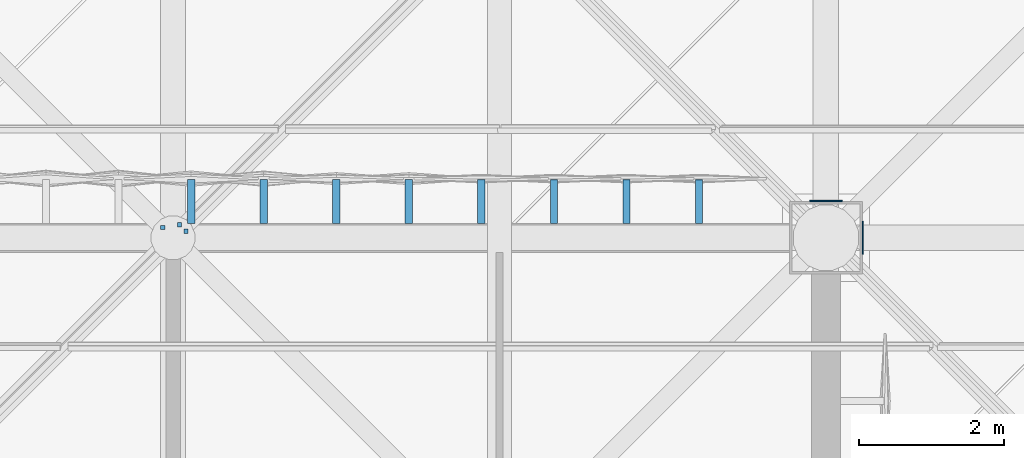
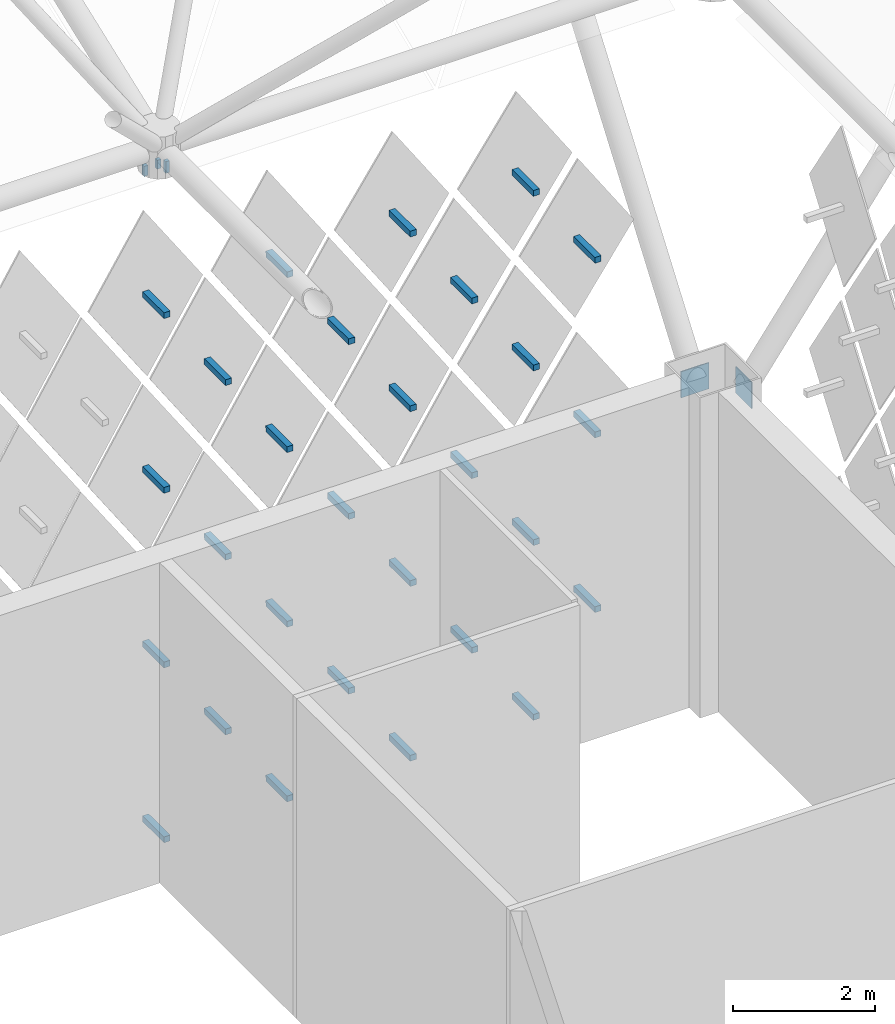
# One storey, part 399 of 437: 33 discrete accessories.
"""IFC4 building model written with IfcOpenShell, lengths in metres."""

from ifc_helpers import new_model, si_unit, direction, frame, origin, place, context, subcontext, project, spatial, polyline, outline, extrude, material, layer, layer_set, type_object, element, save


model = new_model("IFC4")

# Units and contexts
model_context = context("Model", 3, precision=1e-05, world=origin(), true_north=direction((0.0, 1.0)))
body_context = subcontext(model_context, "Body", "Model", "MODEL_VIEW")
ifc_project = project(units=[si_unit("LENGTHUNIT", "METRE"), si_unit("AREAUNIT", "SQUARE_METRE"), si_unit("VOLUMEUNIT", "CUBIC_METRE"), si_unit("PLANEANGLEUNIT", "RADIAN"), si_unit("MASSUNIT", "GRAM", prefix="KILO")], contexts=[model_context])

# Site, building, storey
site_placement = place(None, origin())
site = spatial("IfcSite", under=ifc_project, at=site_placement, CompositionType="ELEMENT")
building_placement = place(site_placement, origin())
building = spatial("IfcBuilding", under=site, at=building_placement, Name="Opaline Strait Convention Centre", CompositionType="ELEMENT")
storey_placement = place(building_placement, frame((0.0, 0.0, 11.5)))
storey = spatial("IfcBuildingStorey", under=building, at=storey_placement, Name="L02", CompositionType="ELEMENT", Elevation=11.5)

# Discrete accessories
ifc_material_1 = material(Name="Structural steel Q355B", Category="steel")
ifc_layer = layer(ifc_material_1, 0.01611328125)
ifc_layer_set = layer_set([ifc_layer], Name="Structural steel Q355B")
discrete_accessory_type_1 = type_object("IfcDiscreteAccessoryType", Name="Prop bearing plate 450 x 450 x 16", PredefinedType="ANCHORPLATE", material=ifc_layer_set)
discrete_accessory_1_placement = place(storey_placement, frame((0.0, 0.0, 4.796875)))
element("IfcDiscreteAccessory", 1, at=discrete_accessory_1_placement, inside=storey, type_object=discrete_accessory_type_1, Name="Prop bearing plate 261/153 N", PredefinedType="ANCHORPLATE", context=body_context, shape_type="SweptSolid", body=[
    extrude(outline(polyline([(260.77490234375, 153.5), (261.22509765625, 153.5), (261.22509765625, 153.51611328125), (260.77490234375, 153.51611328125), (260.77490234375, 153.5)])), origin(), (0.0, 0.0, 1.0), 0.449951171875),
])
discrete_accessory_2_placement = place(storey_placement, frame((0.0, 0.0, 4.796875)))
element("IfcDiscreteAccessory", 2, at=discrete_accessory_2_placement, inside=storey, type_object=discrete_accessory_type_1, Name="Prop bearing plate 261/153 E", PredefinedType="ANCHORPLATE", context=body_context, shape_type="SweptSolid", body=[
    extrude(outline(polyline([(261.5, 152.77490234375), (261.51611328125, 152.77490234375), (261.51611328125, 153.22509765625), (261.5, 153.22509765625), (261.5, 152.77490234375)])), origin(), (0.0, 0.0, 1.0), 0.449951171875),
])
ifc_material_2 = material(Name="Steel Q355B", Category="steel")
discrete_accessory_type_2 = type_object("IfcDiscreteAccessoryType", Name="Soffit hanger 60x60 steel", PredefinedType="BRACKET", material=ifc_material_2)
discrete_accessory_3_placement = place(storey_placement, frame((0.0, 0.0, 11.967529296875)))
element("IfcDiscreteAccessory", 3, at=discrete_accessory_3_placement, inside=storey, type_object=discrete_accessory_type_2, Name="Soffit hanger", PredefinedType="BRACKET", context=body_context, shape_type="SweptSolid", body=[
    extrude(outline(polyline([(251.82861328125, 153.111328125), (251.888671875, 153.111328125), (251.888671875, 153.17138671875), (251.82861328125, 153.17138671875), (251.82861328125, 153.111328125)])), origin(), (0.0, 0.0, 1.0), 0.17236328125),
])
discrete_accessory_4_placement = place(storey_placement, frame((0.0, 0.0, 11.93994140625)))
element("IfcDiscreteAccessory", 4, at=discrete_accessory_4_placement, inside=storey, type_object=discrete_accessory_type_2, Name="Soffit hanger", PredefinedType="BRACKET", context=body_context, shape_type="SweptSolid", body=[
    extrude(outline(polyline([(252.14892578125, 153.059326171875), (252.208984375, 153.059326171875), (252.208984375, 153.119140625), (252.14892578125, 153.119140625), (252.14892578125, 153.059326171875)])), origin(), (0.0, 0.0, 1.0), 0.199951171875),
])
discrete_accessory_5_placement = place(storey_placement, frame((0.0, 0.0, 11.986083984375)))
element("IfcDiscreteAccessory", 5, at=discrete_accessory_5_placement, inside=storey, type_object=discrete_accessory_type_2, Name="Soffit hanger", PredefinedType="BRACKET", context=body_context, shape_type="SweptSolid", body=[
    extrude(outline(polyline([(252.059326171875, 153.14892578125), (252.119140625, 153.14892578125), (252.119140625, 153.208984375), (252.059326171875, 153.208984375), (252.059326171875, 153.14892578125)])), origin(), (0.0, 0.0, 1.0), 0.15380859375),
])
discrete_accessory_type_3 = type_object("IfcDiscreteAccessoryType", Name="Tile bracket 100x100 steel", PredefinedType="BRACKET", material=ifc_material_2)
discrete_accessory_6_placement = place(storey_placement, frame((258.300048828125, 153.199951171875, 0.39208984375), z_axis=(-1.0, 0.0, 0.0), x_axis=(0.0, -1.0, 0.0)))
element("IfcDiscreteAccessory", 6, at=discrete_accessory_6_placement, inside=storey, type_object=discrete_accessory_type_3, Name="Tile bracket XT03 N", PredefinedType="BRACKET", context=body_context, shape_type="SweptSolid", body=[
    extrude(outline(polyline([(0.0, -0.050048828125), (0.0, 0.050048828125), (-0.601318359375, 0.050048828125), (-0.5986328125, -0.050048828125), (0.0, -0.050048828125)])), origin(), (0.0, 0.0, 1.0), 0.10009765625),
])
discrete_accessory_7_placement = place(storey_placement, frame((256.300048828125, 153.199951171875, 0.39208984375), z_axis=(-1.0, 0.0, 0.0), x_axis=(0.0, -1.0, 0.0)))
element("IfcDiscreteAccessory", 7, at=discrete_accessory_7_placement, inside=storey, type_object=discrete_accessory_type_3, Name="Tile bracket XT05 N", PredefinedType="BRACKET", context=body_context, shape_type="SweptSolid", body=[
    extrude(outline(polyline([(0.0, -0.050048828125), (0.0, 0.050048828125), (-0.602294921875, 0.050048828125), (-0.597900390625, -0.050048828125), (0.0, -0.050048828125)])), origin(), (0.0, 0.0, 1.0), 0.10009765625),
])
discrete_accessory_8_placement = place(storey_placement, frame((254.300048828125, 153.199951171875, 0.39208984375), z_axis=(-1.0, 0.0, 0.0), x_axis=(0.0, -1.0, 0.0)))
element("IfcDiscreteAccessory", 8, at=discrete_accessory_8_placement, inside=storey, type_object=discrete_accessory_type_3, Name="Tile bracket XT07 N", PredefinedType="BRACKET", context=body_context, shape_type="SweptSolid", body=[
    extrude(outline(polyline([(0.0, -0.050048828125), (0.0, 0.050048828125), (-0.60302734375, 0.050048828125), (-0.596923828125, -0.050048828125), (0.0, -0.050048828125)])), origin(), (0.0, 0.0, 1.0), 0.10009765625),
])
discrete_accessory_9_placement = place(storey_placement, frame((252.300048828125, 153.199951171875, 0.39208984375), z_axis=(-1.0, 0.0, 0.0), x_axis=(0.0, -1.0, 0.0)))
element("IfcDiscreteAccessory", 9, at=discrete_accessory_9_placement, inside=storey, type_object=discrete_accessory_type_3, Name="Tile bracket XT08 N", PredefinedType="BRACKET", context=body_context, shape_type="SweptSolid", body=[
    extrude(outline(polyline([(0.0, -0.050048828125), (0.0, 0.050048828125), (-0.603515625, 0.050048828125), (-0.596435546875, -0.050048828125), (0.0, -0.050048828125)])), origin(), (0.0, 0.0, 1.0), 0.10009765625),
])
discrete_accessory_10_placement = place(storey_placement, frame((259.300048828125, 153.199951171875, 1.89208984375), z_axis=(-1.0, 0.0, 0.0), x_axis=(0.0, -1.0, 0.0)))
element("IfcDiscreteAccessory", 10, at=discrete_accessory_10_placement, inside=storey, type_object=discrete_accessory_type_3, Name="Tile bracket XT02 N", PredefinedType="BRACKET", context=body_context, shape_type="SweptSolid", body=[
    extrude(outline(polyline([(0.0, -0.050048828125), (0.0, 0.050048828125), (-0.600830078125, 0.050048828125), (-0.59912109375, -0.050048828125), (0.0, -0.050048828125)])), origin(), (0.0, 0.0, 1.0), 0.10009765625),
])
discrete_accessory_11_placement = place(storey_placement, frame((257.300048828125, 153.199951171875, 1.89208984375), z_axis=(-1.0, 0.0, 0.0), x_axis=(0.0, -1.0, 0.0)))
element("IfcDiscreteAccessory", 11, at=discrete_accessory_11_placement, inside=storey, type_object=discrete_accessory_type_3, Name="Tile bracket XT03 N", PredefinedType="BRACKET", context=body_context, shape_type="SweptSolid", body=[
    extrude(outline(polyline([(0.0, -0.050048828125), (0.0, 0.050048828125), (-0.601318359375, 0.050048828125), (-0.5986328125, -0.050048828125), (0.0, -0.050048828125)])), origin(), (0.0, 0.0, 1.0), 0.10009765625),
])
discrete_accessory_12_placement = place(storey_placement, frame((255.300048828125, 153.199951171875, 1.89208984375), z_axis=(-1.0, 0.0, 0.0), x_axis=(0.0, -1.0, 0.0)))
element("IfcDiscreteAccessory", 12, at=discrete_accessory_12_placement, inside=storey, type_object=discrete_accessory_type_3, Name="Tile bracket XT05 N", PredefinedType="BRACKET", context=body_context, shape_type="SweptSolid", body=[
    extrude(outline(polyline([(0.0, -0.050048828125), (0.0, 0.050048828125), (-0.602294921875, 0.050048828125), (-0.597900390625, -0.050048828125), (0.0, -0.050048828125)])), origin(), (0.0, 0.0, 1.0), 0.10009765625),
])
discrete_accessory_13_placement = place(storey_placement, frame((253.300048828125, 153.199951171875, 1.89208984375), z_axis=(-1.0, 0.0, 0.0), x_axis=(0.0, -1.0, 0.0)))
element("IfcDiscreteAccessory", 13, at=discrete_accessory_13_placement, inside=storey, type_object=discrete_accessory_type_3, Name="Tile bracket XT07 N", PredefinedType="BRACKET", context=body_context, shape_type="SweptSolid", body=[
    extrude(outline(polyline([(0.0, -0.050048828125), (0.0, 0.050048828125), (-0.60302734375, 0.050048828125), (-0.596923828125, -0.050048828125), (0.0, -0.050048828125)])), origin(), (0.0, 0.0, 1.0), 0.10009765625),
])
discrete_accessory_14_placement = place(storey_placement, frame((258.300048828125, 153.199951171875, 3.39208984375), z_axis=(-1.0, 0.0, 0.0), x_axis=(0.0, -1.0, 0.0)))
element("IfcDiscreteAccessory", 14, at=discrete_accessory_14_placement, inside=storey, type_object=discrete_accessory_type_3, Name="Tile bracket XT02 N", PredefinedType="BRACKET", context=body_context, shape_type="SweptSolid", body=[
    extrude(outline(polyline([(0.0, -0.050048828125), (0.0, 0.050048828125), (-0.600830078125, 0.050048828125), (-0.59912109375, -0.050048828125), (0.0, -0.050048828125)])), origin(), (0.0, 0.0, 1.0), 0.10009765625),
])
discrete_accessory_15_placement = place(storey_placement, frame((256.300048828125, 153.199951171875, 3.39208984375), z_axis=(-1.0, 0.0, 0.0), x_axis=(0.0, -1.0, 0.0)))
element("IfcDiscreteAccessory", 15, at=discrete_accessory_15_placement, inside=storey, type_object=discrete_accessory_type_3, Name="Tile bracket XT03 N", PredefinedType="BRACKET", context=body_context, shape_type="SweptSolid", body=[
    extrude(outline(polyline([(0.0, -0.050048828125), (0.0, 0.050048828125), (-0.601318359375, 0.050048828125), (-0.5986328125, -0.050048828125), (0.0, -0.050048828125)])), origin(), (0.0, 0.0, 1.0), 0.10009765625),
])
discrete_accessory_16_placement = place(storey_placement, frame((254.300048828125, 153.199951171875, 3.39208984375), z_axis=(-1.0, 0.0, 0.0), x_axis=(0.0, -1.0, 0.0)))
element("IfcDiscreteAccessory", 16, at=discrete_accessory_16_placement, inside=storey, type_object=discrete_accessory_type_3, Name="Tile bracket XT05 N", PredefinedType="BRACKET", context=body_context, shape_type="SweptSolid", body=[
    extrude(outline(polyline([(0.0, -0.050048828125), (0.0, 0.050048828125), (-0.602294921875, 0.050048828125), (-0.597900390625, -0.050048828125), (0.0, -0.050048828125)])), origin(), (0.0, 0.0, 1.0), 0.10009765625),
])
discrete_accessory_17_placement = place(storey_placement, frame((252.300048828125, 153.199951171875, 3.39208984375), z_axis=(-1.0, 0.0, 0.0), x_axis=(0.0, -1.0, 0.0)))
element("IfcDiscreteAccessory", 17, at=discrete_accessory_17_placement, inside=storey, type_object=discrete_accessory_type_3, Name="Tile bracket XT07 N", PredefinedType="BRACKET", context=body_context, shape_type="SweptSolid", body=[
    extrude(outline(polyline([(0.0, -0.050048828125), (0.0, 0.050048828125), (-0.60302734375, 0.050048828125), (-0.596923828125, -0.050048828125), (0.0, -0.050048828125)])), origin(), (0.0, 0.0, 1.0), 0.10009765625),
])
discrete_accessory_18_placement = place(storey_placement, frame((259.300048828125, 153.199951171875, 4.89208984375), z_axis=(-1.0, 0.0, 0.0), x_axis=(0.0, -1.0, 0.0)))
element("IfcDiscreteAccessory", 18, at=discrete_accessory_18_placement, inside=storey, type_object=discrete_accessory_type_3, Name="Tile bracket XT02 N", PredefinedType="BRACKET", context=body_context, shape_type="SweptSolid", body=[
    extrude(outline(polyline([(0.0, -0.050048828125), (0.0, 0.050048828125), (-0.59912109375, 0.050048828125), (-0.600830078125, -0.050048828125), (0.0, -0.050048828125)])), origin(), (0.0, 0.0, 1.0), 0.10009765625),
])
discrete_accessory_19_placement = place(storey_placement, frame((257.300048828125, 153.199951171875, 4.89208984375), z_axis=(-1.0, 0.0, 0.0), x_axis=(0.0, -1.0, 0.0)))
element("IfcDiscreteAccessory", 19, at=discrete_accessory_19_placement, inside=storey, type_object=discrete_accessory_type_3, Name="Tile bracket XT02 N", PredefinedType="BRACKET", context=body_context, shape_type="SweptSolid", body=[
    extrude(outline(polyline([(0.0, -0.050048828125), (0.0, 0.050048828125), (-0.600830078125, 0.050048828125), (-0.59912109375, -0.050048828125), (0.0, -0.050048828125)])), origin(), (0.0, 0.0, 1.0), 0.10009765625),
])
discrete_accessory_20_placement = place(storey_placement, frame((255.300048828125, 153.199951171875, 4.89208984375), z_axis=(-1.0, 0.0, 0.0), x_axis=(0.0, -1.0, 0.0)))
element("IfcDiscreteAccessory", 20, at=discrete_accessory_20_placement, inside=storey, type_object=discrete_accessory_type_3, Name="Tile bracket XT03 N", PredefinedType="BRACKET", context=body_context, shape_type="SweptSolid", body=[
    extrude(outline(polyline([(0.0, -0.050048828125), (0.0, 0.050048828125), (-0.601318359375, 0.050048828125), (-0.5986328125, -0.050048828125), (0.0, -0.050048828125)])), origin(), (0.0, 0.0, 1.0), 0.10009765625),
])
discrete_accessory_21_placement = place(storey_placement, frame((253.300048828125, 153.199951171875, 4.89208984375), z_axis=(-1.0, 0.0, 0.0), x_axis=(0.0, -1.0, 0.0)))
element("IfcDiscreteAccessory", 21, at=discrete_accessory_21_placement, inside=storey, type_object=discrete_accessory_type_3, Name="Tile bracket XT06 N", PredefinedType="BRACKET", context=body_context, shape_type="SweptSolid", body=[
    extrude(outline(polyline([(0.0, -0.050048828125), (0.0, 0.050048828125), (-0.6025390625, 0.050048828125), (-0.597412109375, -0.050048828125), (0.0, -0.050048828125)])), origin(), (0.0, 0.0, 1.0), 0.10009765625),
])
discrete_accessory_22_placement = place(storey_placement, frame((258.300048828125, 153.199951171875, 6.39208984375), z_axis=(-1.0, 0.0, 0.0), x_axis=(0.0, -1.0, 0.0)))
element("IfcDiscreteAccessory", 22, at=discrete_accessory_22_placement, inside=storey, type_object=discrete_accessory_type_3, Name="Tile bracket XT02 N", PredefinedType="BRACKET", context=body_context, shape_type="SweptSolid", body=[
    extrude(outline(polyline([(0.0, -0.050048828125), (0.0, 0.050048828125), (-0.59912109375, 0.050048828125), (-0.600830078125, -0.050048828125), (0.0, -0.050048828125)])), origin(), (0.0, 0.0, 1.0), 0.10009765625),
])
discrete_accessory_23_placement = place(storey_placement, frame((256.300048828125, 153.199951171875, 6.39208984375), z_axis=(-1.0, 0.0, 0.0), x_axis=(0.0, -1.0, 0.0)))
element("IfcDiscreteAccessory", 23, at=discrete_accessory_23_placement, inside=storey, type_object=discrete_accessory_type_3, Name="Tile bracket XT02 N", PredefinedType="BRACKET", context=body_context, shape_type="SweptSolid", body=[
    extrude(outline(polyline([(0.0, -0.050048828125), (0.0, 0.050048828125), (-0.600830078125, 0.050048828125), (-0.59912109375, -0.050048828125), (0.0, -0.050048828125)])), origin(), (0.0, 0.0, 1.0), 0.10009765625),
])
discrete_accessory_24_placement = place(storey_placement, frame((254.300048828125, 153.199951171875, 6.39208984375), z_axis=(-1.0, 0.0, 0.0), x_axis=(0.0, -1.0, 0.0)))
element("IfcDiscreteAccessory", 24, at=discrete_accessory_24_placement, inside=storey, type_object=discrete_accessory_type_3, Name="Tile bracket XT03 N", PredefinedType="BRACKET", context=body_context, shape_type="SweptSolid", body=[
    extrude(outline(polyline([(0.0, -0.050048828125), (0.0, 0.050048828125), (-0.601318359375, 0.050048828125), (-0.5986328125, -0.050048828125), (0.0, -0.050048828125)])), origin(), (0.0, 0.0, 1.0), 0.10009765625),
])
discrete_accessory_25_placement = place(storey_placement, frame((252.300048828125, 153.199951171875, 6.39208984375), z_axis=(-1.0, 0.0, 0.0), x_axis=(0.0, -1.0, 0.0)))
element("IfcDiscreteAccessory", 25, at=discrete_accessory_25_placement, inside=storey, type_object=discrete_accessory_type_3, Name="Tile bracket XT05 N", PredefinedType="BRACKET", context=body_context, shape_type="SweptSolid", body=[
    extrude(outline(polyline([(0.0, -0.050048828125), (0.0, 0.050048828125), (-0.602294921875, 0.050048828125), (-0.597900390625, -0.050048828125), (0.0, -0.050048828125)])), origin(), (0.0, 0.0, 1.0), 0.10009765625),
])
discrete_accessory_26_placement = place(storey_placement, frame((259.300048828125, 153.199951171875, 7.89208984375), z_axis=(-1.0, 0.0, 0.0), x_axis=(0.0, -1.0, 0.0)))
element("IfcDiscreteAccessory", 26, at=discrete_accessory_26_placement, inside=storey, type_object=discrete_accessory_type_3, Name="Tile bracket XT04 N", PredefinedType="BRACKET", context=body_context, shape_type="SweptSolid", body=[
    extrude(outline(polyline([(0.0, -0.050048828125), (0.0, 0.050048828125), (-0.59814453125, 0.050048828125), (-0.601806640625, -0.050048828125), (0.0, -0.050048828125)])), origin(), (0.0, 0.0, 1.0), 0.10009765625),
])
discrete_accessory_27_placement = place(storey_placement, frame((257.300048828125, 153.199951171875, 7.89208984375), z_axis=(-1.0, 0.0, 0.0), x_axis=(0.0, -1.0, 0.0)))
element("IfcDiscreteAccessory", 27, at=discrete_accessory_27_placement, inside=storey, type_object=discrete_accessory_type_3, Name="Tile bracket XT02 N", PredefinedType="BRACKET", context=body_context, shape_type="SweptSolid", body=[
    extrude(outline(polyline([(0.0, -0.050048828125), (0.0, 0.050048828125), (-0.59912109375, 0.050048828125), (-0.600830078125, -0.050048828125), (0.0, -0.050048828125)])), origin(), (0.0, 0.0, 1.0), 0.10009765625),
])
discrete_accessory_28_placement = place(storey_placement, frame((255.300048828125, 153.199951171875, 7.89208984375), z_axis=(-1.0, 0.0, 0.0), x_axis=(0.0, -1.0, 0.0)))
element("IfcDiscreteAccessory", 28, at=discrete_accessory_28_placement, inside=storey, type_object=discrete_accessory_type_3, Name="Tile bracket XT02 N", PredefinedType="BRACKET", context=body_context, shape_type="SweptSolid", body=[
    extrude(outline(polyline([(0.0, -0.050048828125), (0.0, 0.050048828125), (-0.600830078125, 0.050048828125), (-0.59912109375, -0.050048828125), (0.0, -0.050048828125)])), origin(), (0.0, 0.0, 1.0), 0.10009765625),
])
discrete_accessory_29_placement = place(storey_placement, frame((253.300048828125, 153.199951171875, 7.89208984375), z_axis=(-1.0, 0.0, 0.0), x_axis=(0.0, -1.0, 0.0)))
element("IfcDiscreteAccessory", 29, at=discrete_accessory_29_placement, inside=storey, type_object=discrete_accessory_type_3, Name="Tile bracket XT03 N", PredefinedType="BRACKET", context=body_context, shape_type="SweptSolid", body=[
    extrude(outline(polyline([(0.0, -0.050048828125), (0.0, 0.050048828125), (-0.601318359375, 0.050048828125), (-0.5986328125, -0.050048828125), (0.0, -0.050048828125)])), origin(), (0.0, 0.0, 1.0), 0.10009765625),
])
discrete_accessory_30_placement = place(storey_placement, frame((258.300048828125, 153.199951171875, 9.39208984375), z_axis=(-1.0, 0.0, 0.0), x_axis=(0.0, -1.0, 0.0)))
element("IfcDiscreteAccessory", 30, at=discrete_accessory_30_placement, inside=storey, type_object=discrete_accessory_type_3, Name="Tile bracket XT04 N", PredefinedType="BRACKET", context=body_context, shape_type="SweptSolid", body=[
    extrude(outline(polyline([(0.0, -0.050048828125), (0.0, 0.050048828125), (-0.59814453125, 0.050048828125), (-0.601806640625, -0.050048828125), (0.0, -0.050048828125)])), origin(), (0.0, 0.0, 1.0), 0.10009765625),
])
discrete_accessory_31_placement = place(storey_placement, frame((256.300048828125, 153.199951171875, 9.39208984375), z_axis=(-1.0, 0.0, 0.0), x_axis=(0.0, -1.0, 0.0)))
element("IfcDiscreteAccessory", 31, at=discrete_accessory_31_placement, inside=storey, type_object=discrete_accessory_type_3, Name="Tile bracket XT02 N", PredefinedType="BRACKET", context=body_context, shape_type="SweptSolid", body=[
    extrude(outline(polyline([(0.0, -0.050048828125), (0.0, 0.050048828125), (-0.59912109375, 0.050048828125), (-0.600830078125, -0.050048828125), (0.0, -0.050048828125)])), origin(), (0.0, 0.0, 1.0), 0.10009765625),
])
discrete_accessory_32_placement = place(storey_placement, frame((254.300048828125, 153.199951171875, 9.39208984375), z_axis=(-1.0, 0.0, 0.0), x_axis=(0.0, -1.0, 0.0)))
element("IfcDiscreteAccessory", 32, at=discrete_accessory_32_placement, inside=storey, type_object=discrete_accessory_type_3, Name="Tile bracket XT02 N", PredefinedType="BRACKET", context=body_context, shape_type="SweptSolid", body=[
    extrude(outline(polyline([(0.0, -0.050048828125), (0.0, 0.050048828125), (-0.600830078125, 0.050048828125), (-0.59912109375, -0.050048828125), (0.0, -0.050048828125)])), origin(), (0.0, 0.0, 1.0), 0.10009765625),
])
discrete_accessory_33_placement = place(storey_placement, frame((252.300048828125, 153.199951171875, 9.39208984375), z_axis=(-1.0, 0.0, 0.0), x_axis=(0.0, -1.0, 0.0)))
element("IfcDiscreteAccessory", 33, at=discrete_accessory_33_placement, inside=storey, type_object=discrete_accessory_type_3, Name="Tile bracket XT03 N", PredefinedType="BRACKET", context=body_context, shape_type="SweptSolid", body=[
    extrude(outline(polyline([(0.0, -0.050048828125), (0.0, 0.050048828125), (-0.601318359375, 0.050048828125), (-0.5986328125, -0.050048828125), (0.0, -0.050048828125)])), origin(), (0.0, 0.0, 1.0), 0.10009765625),
])

save(model, "model.ifc")
